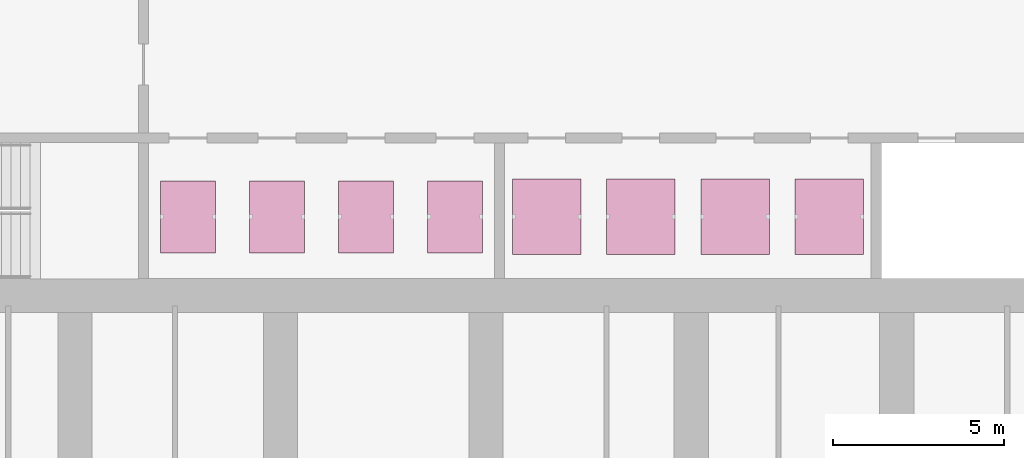
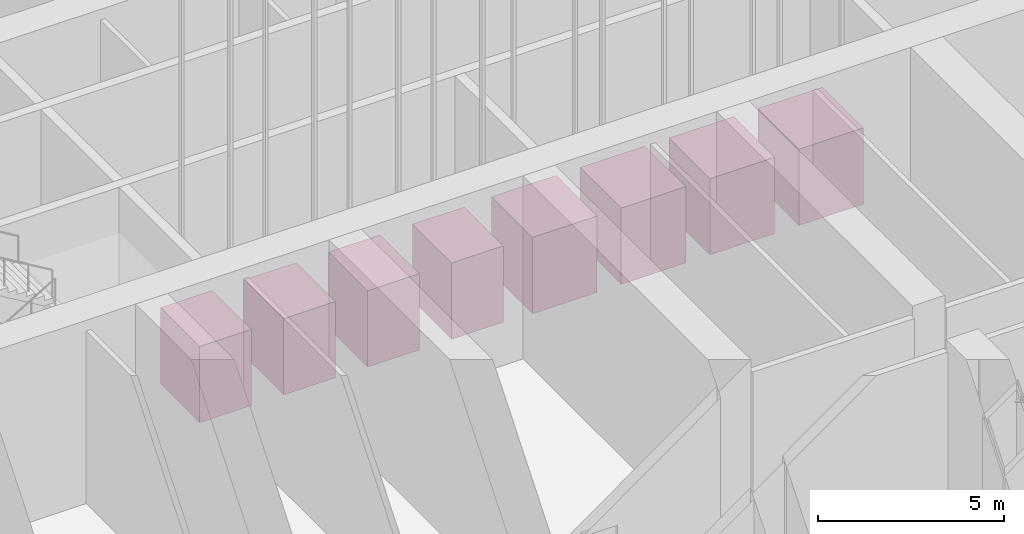
# One storey, part 41 of 57: 8 transport elements.
"""IFC4 building model written with IfcOpenShell, lengths in metres."""

from ifc_helpers import new_model, si_unit, direction, frame, origin, origin_2d, place, context, subcontext, project, spatial, rectangle, extrude, material, type_object, element, save


model = new_model("IFC4")

# Units and contexts
model_context = context("Model", 3, precision=1e-05, world=origin(), true_north=direction((0.0, 1.0)))
body_context = subcontext(model_context, "Body", "Model", "MODEL_VIEW")
ifc_project = project(units=[si_unit("LENGTHUNIT", "METRE"), si_unit("AREAUNIT", "SQUARE_METRE"), si_unit("VOLUMEUNIT", "CUBIC_METRE"), si_unit("PLANEANGLEUNIT", "RADIAN"), si_unit("MASSUNIT", "GRAM", prefix="KILO")], contexts=[model_context])

# Site, building, storey
site_placement = place(None, origin())
site = spatial("IfcSite", under=ifc_project, at=site_placement, CompositionType="ELEMENT")
building_placement = place(site_placement, origin())
building = spatial("IfcBuilding", under=site, at=building_placement, Name="Orbita Commons", CompositionType="ELEMENT")
storey_placement = place(building_placement, origin())
storey = spatial("IfcBuildingStorey", under=building, at=storey_placement, Name="L00", CompositionType="ELEMENT", Elevation=0.0)

# Transport elements
ifc_material_1 = material(Name="Stainless steel lift car", Category="steel")
transport_element_type_1 = type_object("IfcTransportElementType", Name="Passenger lift, low zone 1600 kg", PredefinedType="ELEVATOR", material=ifc_material_1)
transport_element_1_placement = place(storey_placement, frame((27.300048828125, 28.10009765625, 0.0), z_axis=(0.0, 0.0, 1.0), x_axis=(1.0, 0.0, 0.0)))
element("IfcTransportElement", 1, at=transport_element_1_placement, inside=storey, type_object=transport_element_type_1, Name="P11 car", PredefinedType="ELEVATOR", context=body_context, shape_type="SweptSolid", body=[
    extrude(rectangle(XDim=1.60009765625, YDim=2.10009765625, at=origin_2d()), origin(), (0.0, 0.0, 1.0), 2.5),
])
transport_element_2_placement = place(storey_placement, frame((29.89990234375, 28.10009765625, 0.0), z_axis=(0.0, 0.0, 1.0), x_axis=(1.0, 0.0, 0.0)))
element("IfcTransportElement", 2, at=transport_element_2_placement, inside=storey, type_object=transport_element_type_1, Name="P12 car", PredefinedType="ELEVATOR", context=body_context, shape_type="SweptSolid", body=[
    extrude(rectangle(XDim=1.60009765625, YDim=2.10009765625, at=origin_2d()), origin(), (0.0, 0.0, 1.0), 2.5),
])
transport_element_3_placement = place(storey_placement, frame((32.5, 28.10009765625, 0.0), z_axis=(0.0, 0.0, 1.0), x_axis=(1.0, 0.0, 0.0)))
element("IfcTransportElement", 3, at=transport_element_3_placement, inside=storey, type_object=transport_element_type_1, Name="P13 car", PredefinedType="ELEVATOR", context=body_context, shape_type="SweptSolid", body=[
    extrude(rectangle(XDim=1.60009765625, YDim=2.10009765625, at=origin_2d()), origin(), (0.0, 0.0, 1.0), 2.5),
])
transport_element_4_placement = place(storey_placement, frame((35.10009765625, 28.10009765625, 0.0), z_axis=(0.0, 0.0, 1.0), x_axis=(1.0, 0.0, 0.0)))
element("IfcTransportElement", 4, at=transport_element_4_placement, inside=storey, type_object=transport_element_type_1, Name="P14 car", PredefinedType="ELEVATOR", context=body_context, shape_type="SweptSolid", body=[
    extrude(rectangle(XDim=1.60009765625, YDim=2.10009765625, at=origin_2d()), origin(), (0.0, 0.0, 1.0), 2.5),
])
ifc_material_2 = material(Name="Stainless steel lift car", Category="steel")
transport_element_type_2 = type_object("IfcTransportElementType", Name="Shuttle lift to the sky lobby L18 2000 kg", PredefinedType="ELEVATOR", material=ifc_material_2)
transport_element_5_placement = place(storey_placement, frame((37.77490234375, 28.10009765625, 0.0), z_axis=(0.0, 0.0, 1.0), x_axis=(1.0, 0.0, 0.0)))
element("IfcTransportElement", 5, at=transport_element_5_placement, inside=storey, type_object=transport_element_type_2, Name="SH11 car", PredefinedType="ELEVATOR", context=body_context, shape_type="SweptSolid", body=[
    extrude(rectangle(XDim=2.0, YDim=2.199951171875, at=origin_2d()), origin(), (0.0, 0.0, 1.0), 2.5),
])
ifc_material_3 = material(Name="Stainless steel lift car", Category="steel")
transport_element_type_3 = type_object("IfcTransportElementType", Name="Shuttle lift to the sky lobby L34 2000 kg", PredefinedType="ELEVATOR", material=ifc_material_3)
transport_element_6_placement = place(storey_placement, frame((40.52490234375, 28.10009765625, 0.0), z_axis=(0.0, 0.0, 1.0), x_axis=(1.0, 0.0, 0.0)))
element("IfcTransportElement", 6, at=transport_element_6_placement, inside=storey, type_object=transport_element_type_3, Name="SH21 car", PredefinedType="ELEVATOR", context=body_context, shape_type="SweptSolid", body=[
    extrude(rectangle(XDim=2.0, YDim=2.199951171875, at=origin_2d()), origin(), (0.0, 0.0, 1.0), 2.5),
])
ifc_material_4 = material(Name="Stainless steel lift car", Category="steel")
transport_element_type_4 = type_object("IfcTransportElementType", Name="Shuttle lift to the sky lobby L51 2000 kg", PredefinedType="ELEVATOR", material=ifc_material_4)
transport_element_7_placement = place(storey_placement, frame((43.27490234375, 28.10009765625, 0.0), z_axis=(0.0, 0.0, 1.0), x_axis=(1.0, 0.0, 0.0)))
element("IfcTransportElement", 7, at=transport_element_7_placement, inside=storey, type_object=transport_element_type_4, Name="SH31 car", PredefinedType="ELEVATOR", context=body_context, shape_type="SweptSolid", body=[
    extrude(rectangle(XDim=2.0, YDim=2.199951171875, at=origin_2d()), origin(), (0.0, 0.0, 1.0), 2.5),
])
transport_element_8_placement = place(storey_placement, frame((46.02490234375, 28.10009765625, 0.0), z_axis=(0.0, 0.0, 1.0), x_axis=(1.0, 0.0, 0.0)))
element("IfcTransportElement", 8, at=transport_element_8_placement, inside=storey, type_object=transport_element_type_4, Name="SH32 car", PredefinedType="ELEVATOR", context=body_context, shape_type="SweptSolid", body=[
    extrude(rectangle(XDim=2.0, YDim=2.199951171875, at=origin_2d()), origin(), (0.0, 0.0, 1.0), 2.5),
])

save(model, "model.ifc")
